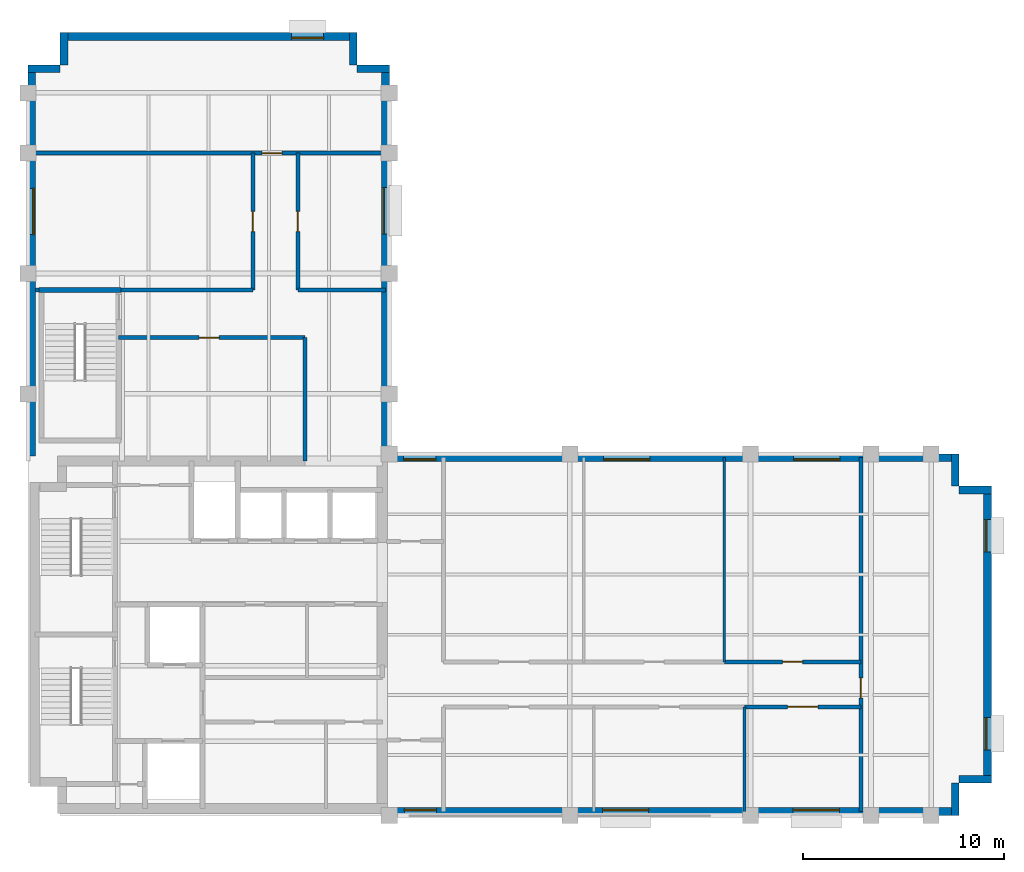
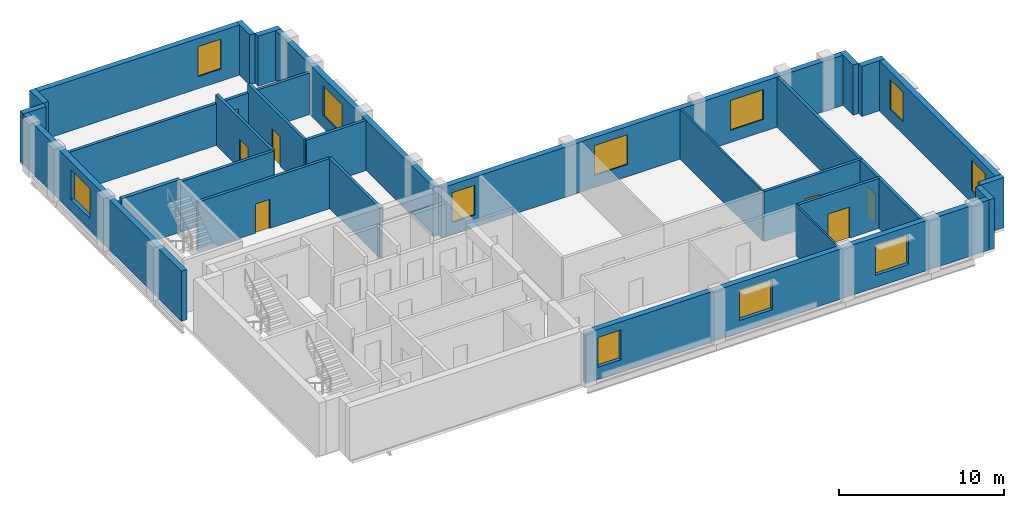
# One storey, part 4 of 6: 28 walls, 11 windows, 7 doors, 18 openings.
"""IFC4 building model written with IfcOpenShell, lengths in metres."""

import ifcopenshell
import ifcopenshell.guid

model = None  # the IFC model being written
_history = None  # IfcOwnerHistory: only IFC2X3 demands one
_inside = {}  # id of a spatial element -> (the spatial element, [elements in it])
_under = {}  # id of a project, library or spatial element -> (it, [spatial elements below it])
_declared = {}  # id of a project -> (the project, [libraries it declares])
_typed = {}  # id of a type object -> (the type object, [elements of that type])
_made_of = {}  # id of a material, layer set ... -> (it, [elements and type objects made of it])


def new_model(schema):
    """Start an empty IFC model of exactly this schema.

    Asked for "IFC4X3", IfcOpenShell would pick the latest addendum, in which some entities
    have other attributes; the version numbers below select the first issue.
    IFC2X3 requires an IfcOwnerHistory on every rooted entity: one is made here for all.
    """
    global model, _history
    if schema == "IFC4X3":
        model = ifcopenshell.file(schema_version=(4, 3, 0, 0))
    else:
        model = ifcopenshell.file(schema=schema)
    _inside.clear()
    _under.clear()
    _declared.clear()
    _typed.clear()
    _made_of.clear()
    _history = None
    if model.schema == "IFC2X3":
        org = make("IfcOrganization", Name="unknown")
        user = make(
            "IfcPersonAndOrganization",
            ThePerson=make("IfcPerson", FamilyName="unknown"),
            TheOrganization=org,
        )
        app = make(
            "IfcApplication",
            ApplicationDeveloper=org,
            Version="unknown",
            ApplicationFullName="unknown",
            ApplicationIdentifier="unknown",
        )
        _history = make(
            "IfcOwnerHistory",
            OwningUser=user,
            OwningApplication=app,
            ChangeAction="ADDED",
            CreationDate=0,
        )
    return model


def make(cls, **values):
    """One entity of the class cls with the attributes given. An attribute that is None is left unset."""
    return model.create_entity(
        cls, **{name: value for name, value in values.items() if value is not None}
    )


def rooted(cls, **values):
    """An entity with a GlobalId (a new one), such as an element, a storey or a relation."""
    return make(cls, GlobalId=ifcopenshell.guid.new(), OwnerHistory=_history, **values)


def si_unit(unit_type, name, prefix=None):
    """IfcSIUnit, for example si_unit("LENGTHUNIT", "METRE", prefix="MILLI")."""
    return make("IfcSIUnit", UnitType=unit_type, Prefix=prefix, Name=name)


def assignment(units):
    """IfcUnitAssignment: the units of a project."""
    return None if units is None else make("IfcUnitAssignment", Units=units)


def point(xyz):
    """IfcCartesianPoint."""
    return None if xyz is None else make("IfcCartesianPoint", Coordinates=xyz)


def direction(xyz):
    """IfcDirection."""
    return None if xyz is None else make("IfcDirection", DirectionRatios=xyz)


def frame(location, z_axis=None, x_axis=None):
    """IfcAxis2Placement3D, a coordinate frame: its origin and axes. An axis left out is left unset."""
    return make(
        "IfcAxis2Placement3D",
        Location=point(location),
        Axis=direction(z_axis),
        RefDirection=direction(x_axis),
    )


def frame_2d(location, x_axis=None):
    """IfcAxis2Placement2D, a coordinate frame in the plane: its origin and x axis."""
    return make(
        "IfcAxis2Placement2D", Location=point(location), RefDirection=direction(x_axis)
    )


def origin():
    """The frame at (0, 0, 0) with its axes left unset."""
    return frame((0.0, 0.0, 0.0))


def place(relative_to, where):
    """IfcLocalPlacement: puts the frame where relative to a parent placement (None: the world)."""
    return make(
        "IfcLocalPlacement", PlacementRelTo=relative_to, RelativePlacement=where
    )


def context(
    kind, dimensions, precision=None, world=None, true_north=None, identifier=None
):
    """IfcGeometricRepresentationContext, for example the 3D "Model" context."""
    return make(
        "IfcGeometricRepresentationContext",
        ContextIdentifier=identifier,
        ContextType=kind,
        CoordinateSpaceDimension=dimensions,
        Precision=precision,
        WorldCoordinateSystem=world,
        TrueNorth=true_north,
    )


def subcontext(parent, identifier, kind, view, scale=None):
    """IfcGeometricRepresentationSubContext, for example "Body" below "Model"."""
    return make(
        "IfcGeometricRepresentationSubContext",
        ContextIdentifier=identifier,
        ContextType=kind,
        ParentContext=parent,
        TargetScale=scale,
        TargetView=view,
    )


def project(units=None, contexts=None):
    """IfcProject with its units and contexts."""
    return rooted(
        "IfcProject",
        Name="project",
        RepresentationContexts=contexts,
        UnitsInContext=assignment(units),
    )


def spatial(cls, under=None, at=None, **own):
    """A site, building, storey or space (cls), placed at a placement, below another one or the project."""
    s = rooted(cls, ObjectPlacement=at, **own)
    if under is not None:
        _under.setdefault(under.id(), (under, []))[1].append(s)
    return s


def profile(cls, at=None, kind="AREA", **sizes):
    """A parametric profile (cls). Its sizes go by their IFC names, for example OverallWidth=200.0."""
    return make(cls, ProfileType=kind, Position=at, **sizes)


def rectangle(**sizes):
    """IfcRectangleProfileDef."""
    return profile("IfcRectangleProfileDef", **sizes)


def extrude(swept, where, along, depth):
    """IfcExtrudedAreaSolid: the profile swept, set in the frame where, extruded along a direction by depth."""
    return make(
        "IfcExtrudedAreaSolid",
        SweptArea=swept,
        Position=where,
        ExtrudedDirection=direction(along),
        Depth=depth,
    )


def shape(context_of_items, identifier, shape_type, items):
    """IfcShapeRepresentation: the items that make up one representation, for example the "Body"."""
    return make(
        "IfcShapeRepresentation",
        ContextOfItems=context_of_items,
        RepresentationIdentifier=identifier,
        RepresentationType=shape_type,
        Items=items,
    )


def material(Name=None, Category=None):
    """IfcMaterial."""
    return make("IfcMaterial", Name=Name, Category=Category)


def layer(
    of_material, thickness, ventilated=None, Name=None, Category=None, Priority=None
):
    """IfcMaterialLayer: one layer of a wall or slab, of a material (None: an air gap)."""
    return make(
        "IfcMaterialLayer",
        Material=of_material,
        LayerThickness=thickness,
        IsVentilated=ventilated,
        Name=Name,
        Category=Category,
        Priority=Priority,
    )


def layer_set(layers, Name=None):
    """IfcMaterialLayerSet."""
    return make("IfcMaterialLayerSet", MaterialLayers=layers, LayerSetName=Name)


def made_of(thing, what):
    """Note that an element or type object is made of a material, layer set ...; save() writes the relation."""
    if what is not None:
        _made_of.setdefault(what.id(), (what, []))[1].append(thing)
    return thing


def type_object(cls, material=None, **own):
    """A type object (cls), such as IfcWallType, which elements share."""
    return made_of(rooted(cls, **own), material)


def element(
    cls,
    number,
    at=None,
    inside=None,
    cuts=None,
    type_object=None,
    material=None,
    context=None,
    identifier="Body",
    shape_type=None,
    held_by="IfcProductDefinitionShape",
    body=None,
    shapes=None,
    **own,
):
    """One element of the class cls, such as IfcWall. Its Tag is "e" and its number.

    at: its placement. inside: the storey or other place that contains it. cuts: it is an
    opening in that element (IfcRelVoidsElement). A single representation is given by context,
    identifier, shape_type and body (its items); several are given by shapes. held_by: the class
    of the entity that holds the representations. save() writes the other relations.
    """
    e = rooted(cls, Tag="e%d" % number, ObjectPlacement=at, **own)
    if body is not None:
        shapes = [shape(context, identifier, shape_type, body)]
    if shapes is not None:
        e.Representation = make(held_by, Representations=shapes)
    if inside is not None:
        _inside.setdefault(inside.id(), (inside, []))[1].append(e)
    if cuts is not None:
        rooted(
            "IfcRelVoidsElement", RelatingBuildingElement=cuts, RelatedOpeningElement=e
        )
    if type_object is not None:
        _typed.setdefault(type_object.id(), (type_object, []))[1].append(e)
    return made_of(e, material)


def fill(opening, filler):
    """IfcRelFillsElement: the door or window that sits in an opening."""
    return rooted(
        "IfcRelFillsElement",
        RelatingOpeningElement=opening,
        RelatedBuildingElement=filler,
    )


def aggregate(whole, parts):
    """IfcRelAggregates: a whole, such as a stair, and the parts it consists of."""
    return rooted("IfcRelAggregates", RelatingObject=whole, RelatedObjects=parts)


def save(model, path):
    """Write the relations noted so far, then the file.

    IfcRelAggregates (storeys below a building ...), IfcRelContainedInSpatialStructure (elements
    in a storey), IfcRelDefinesByType, IfcRelAssociatesMaterial and IfcRelDeclares: one each for
    every whole, place, type object, material and project.
    """
    for whole, parts in _under.values():
        aggregate(whole, parts)
    for where, things in _inside.values():
        rooted(
            "IfcRelContainedInSpatialStructure",
            RelatedElements=things,
            RelatingStructure=where,
        )
    for kind, things in _typed.values():
        rooted("IfcRelDefinesByType", RelatedObjects=things, RelatingType=kind)
    for what, things in _made_of.values():
        rooted("IfcRelAssociatesMaterial", RelatedObjects=things, RelatingMaterial=what)
    for by, libraries in _declared.values():
        rooted("IfcRelDeclares", RelatingContext=by, RelatedDefinitions=libraries)
    model.write(path)


model = new_model("IFC4")

# Units and contexts
model_context = context("Model", 3, precision=1e-05, world=origin(), true_north=direction((0.0, 1.0)))
body_context = subcontext(model_context, "Body", "Model", "MODEL_VIEW")
ifc_project = project(units=[si_unit("LENGTHUNIT", "METRE"), si_unit("AREAUNIT", "SQUARE_METRE"), si_unit("VOLUMEUNIT", "CUBIC_METRE"), si_unit("PLANEANGLEUNIT", "RADIAN"), si_unit("MASSUNIT", "GRAM", prefix="KILO")], contexts=[model_context])

# Site, building, storey
site_placement = place(None, origin())
site = spatial("IfcSite", under=ifc_project, at=site_placement, CompositionType="ELEMENT")
building_placement = place(site_placement, origin())
building = spatial("IfcBuilding", under=site, at=building_placement, Name="Mawjdan Bourse Tower", CompositionType="ELEMENT")
storey_placement = place(building_placement, frame((0.0, 0.0, 231.300048828125)))
storey = spatial("IfcBuildingStorey", under=building, at=storey_placement, Name="L56", CompositionType="ELEMENT", Elevation=231.300048828125)

# Wall, openings, windows
ifc_material_1 = material(Name="Brick Masonry Terracotta Red", Category="masonry")
ifc_layer_1 = layer(ifc_material_1, 0.3798828125)
ifc_layer_set_1 = layer_set([ifc_layer_1], Name="Brick Masonry Terracotta Red")
wall_type_1 = type_object("IfcWallType", Name="WL-BRK-RED-380", PredefinedType="STANDARD", material=ifc_layer_set_1)
wall_1_placement = place(storey_placement, frame((23.89990234375, 3.18994140625, 0.0), z_axis=(0.0, 0.0, 1.0), x_axis=(1.0, 0.0, 0.0)))
wall_1 = element("IfcWall", 1, at=wall_1_placement, inside=storey, type_object=wall_type_1, Name="L56 Exterior Brick Wall 1", PredefinedType="STANDARD", context=body_context, shape_type="SweptSolid", body=[
    extrude(rectangle(XDim=28.5, YDim=0.3798828125, at=frame_2d((14.25, 0.0))), origin(), (0.0, 0.0, 1.0), 3.699951171875),
])
opening_1_placement = place(wall_1_placement, frame((10.72509765625, 0.0, 0.89990234375)))
opening_1 = element("IfcOpeningElement", 2, at=opening_1_placement, cuts=wall_1, Name="Opening W-L56-01", PredefinedType="OPENING", context=body_context, shape_type="SweptSolid", body=[
    extrude(rectangle(XDim=2.300048828125, YDim=2.199951171875, at=frame_2d((1.14990234375, 1.10009765625))), frame((0.0, 0.199951171875, 0.0), z_axis=(0.0, -1.0, 0.0), x_axis=(1.0, 0.0, 0.0)), (0.0, 0.0, 1.0), 0.39990234375),
])
opening_2_placement = place(wall_1_placement, frame((20.22509765625, 0.0, 0.89990234375)))
opening_2 = element("IfcOpeningElement", 3, at=opening_2_placement, cuts=wall_1, Name="Opening W-L56-02", PredefinedType="OPENING", context=body_context, shape_type="SweptSolid", body=[
    extrude(rectangle(XDim=2.300048828125, YDim=2.199951171875, at=frame_2d((1.14990234375, 1.10009765625))), frame((0.0, 0.199951171875, 0.0), z_axis=(0.0, -1.0, 0.0), x_axis=(1.0, 0.0, 0.0)), (0.0, 0.0, 1.0), 0.39990234375),
])
opening_3_placement = place(wall_1_placement, frame((0.85009765625, 0.0, 0.89990234375)))
opening_3 = element("IfcOpeningElement", 4, at=opening_3_placement, cuts=wall_1, Name="Opening W-L56-10", PredefinedType="OPENING", context=body_context, shape_type="SweptSolid", body=[
    extrude(rectangle(XDim=1.60009765625, YDim=2.199951171875, at=frame_2d((0.800048828125, 1.10009765625))), frame((0.0, 0.199951171875, 0.0), z_axis=(0.0, -1.0, 0.0), x_axis=(1.0, 0.0, 0.0)), (0.0, 0.0, 1.0), 0.39990234375),
])
ifc_material_2 = material(Name="Solar-Control Clear Double Glazing", Category="glass")
window_type_1 = type_object("IfcWindowType", Name="WN-Z3-1600", PartitioningType="SINGLE_PANEL", PredefinedType="WINDOW", material=ifc_material_2)
window_1_placement = place(opening_3_placement, origin())
window_1 = element("IfcWindow", 5, at=window_1_placement, inside=storey, type_object=window_type_1, Name="L56 Deep-Set Masonry Window W-L56-10", OverallHeight=2.199951171875, OverallWidth=1.60009765625, PartitioningType="SINGLE_PANEL", PredefinedType="WINDOW", context=body_context, shape_type="SweptSolid", body=[
    extrude(rectangle(XDim=1.60009765625, YDim=2.199951171875, at=frame_2d((0.800048828125, 1.10009765625))), frame((0.0, 0.110107421875, 0.0), z_axis=(0.0, -1.0, 0.0), x_axis=(1.0, 0.0, 0.0)), (0.0, 0.0, 1.0), 0.06005859375),
])
fill(opening_3, window_1)
window_type_2 = type_object("IfcWindowType", Name="WN-Z3-2300", PartitioningType="SINGLE_PANEL", PredefinedType="WINDOW", material=ifc_material_2)
window_2_placement = place(opening_1_placement, origin())
window_2 = element("IfcWindow", 6, at=window_2_placement, inside=storey, type_object=window_type_2, Name="L56 Deep-Set Masonry Window W-L56-01", OverallHeight=2.199951171875, OverallWidth=2.300048828125, PartitioningType="SINGLE_PANEL", PredefinedType="WINDOW", context=body_context, shape_type="SweptSolid", body=[
    extrude(rectangle(XDim=2.300048828125, YDim=2.199951171875, at=frame_2d((1.14990234375, 1.10009765625))), frame((0.0, 0.110107421875, 0.0), z_axis=(0.0, -1.0, 0.0), x_axis=(1.0, 0.0, 0.0)), (0.0, 0.0, 1.0), 0.06005859375),
])
fill(opening_1, window_2)
window_3_placement = place(opening_2_placement, origin())
window_3 = element("IfcWindow", 7, at=window_3_placement, inside=storey, type_object=window_type_2, Name="L56 Deep-Set Masonry Window W-L56-02", OverallHeight=2.199951171875, OverallWidth=2.300048828125, PartitioningType="SINGLE_PANEL", PredefinedType="WINDOW", context=body_context, shape_type="SweptSolid", body=[
    extrude(rectangle(XDim=2.300048828125, YDim=2.199951171875, at=frame_2d((1.14990234375, 1.10009765625))), frame((0.0, 0.110107421875, 0.0), z_axis=(0.0, -1.0, 0.0), x_axis=(1.0, 0.0, 0.0)), (0.0, 0.0, 1.0), 0.06005859375),
])
fill(opening_2, window_3)

# Walls
for number, where, z_axis, x_axis, name in (
    (8, (52.2099609375, 3.0, 0.0), (0.0, 0.0, 1.0), (0.0, 1.0, 0.0), "L56 Exterior Brick Wall 2"),
    (9, (52.39990234375, 4.7900390625, 0.0), (0.0, 0.0, 1.0), (1.0, 0.0, 0.0), "L56 Exterior Brick Wall 3"),
):
    element("IfcWall", number, at=place(storey_placement, frame(where, z_axis=z_axis, x_axis=x_axis)), inside=storey, type_object=wall_type_1, Name=name, PredefinedType="STANDARD", context=body_context, shape_type="SweptSolid", body=[
        extrude(rectangle(XDim=1.60009765625, YDim=0.3798828125, at=frame_2d((0.800048828125, 0.0))), origin(), (0.0, 0.0, 1.0), 3.699951171875),
    ])

# Wall, openings, windows
wall_2_placement = place(storey_placement, frame((53.81005859375, 4.60009765625, 0.0), z_axis=(0.0, 0.0, 1.0), x_axis=(0.0, 1.0, 0.0)))
wall_2 = element("IfcWall", 10, at=wall_2_placement, inside=storey, type_object=wall_type_1, Name="L56 Exterior Brick Wall 4", PredefinedType="STANDARD", context=body_context, shape_type="SweptSolid", body=[
    extrude(rectangle(XDim=14.7998046875, YDim=0.3798828125, at=frame_2d((7.39990234375, 0.0))), origin(), (0.0, 0.0, 1.0), 3.699951171875),
])
opening_4_placement = place(wall_2_placement, frame((1.666748046875, 0.0, 0.89990234375)))
opening_4 = element("IfcOpeningElement", 11, at=opening_4_placement, cuts=wall_2, Name="Opening W-L56-03", PredefinedType="OPENING", context=body_context, shape_type="SweptSolid", body=[
    extrude(rectangle(XDim=1.60009765625, YDim=2.199951171875, at=frame_2d((0.800048828125, 1.10009765625))), frame((0.0, 0.199951171875, 0.0), z_axis=(0.0, -1.0, 0.0), x_axis=(1.0, 0.0, 0.0)), (0.0, 0.0, 1.0), 0.39990234375),
])
opening_5_placement = place(wall_2_placement, frame((11.533203125, 0.0, 0.89990234375)))
opening_5 = element("IfcOpeningElement", 12, at=opening_5_placement, cuts=wall_2, Name="Opening W-L56-04", PredefinedType="OPENING", context=body_context, shape_type="SweptSolid", body=[
    extrude(rectangle(XDim=1.60009765625, YDim=2.199951171875, at=frame_2d((0.800048828125, 1.10009765625))), frame((0.0, 0.199951171875, 0.0), z_axis=(0.0, -1.0, 0.0), x_axis=(1.0, 0.0, 0.0)), (0.0, 0.0, 1.0), 0.39990234375),
])
window_4_placement = place(opening_4_placement, origin())
window_4 = element("IfcWindow", 13, at=window_4_placement, inside=storey, type_object=window_type_1, Name="L56 Deep-Set Masonry Window W-L56-03", OverallHeight=2.199951171875, OverallWidth=1.60009765625, PartitioningType="SINGLE_PANEL", PredefinedType="WINDOW", context=body_context, shape_type="SweptSolid", body=[
    extrude(rectangle(XDim=1.60009765625, YDim=2.199951171875, at=frame_2d((0.800048828125, 1.10009765625))), frame((0.0, 0.110107421875, 0.0), z_axis=(0.0, -1.0, 0.0), x_axis=(1.0, 0.0, 0.0)), (0.0, 0.0, 1.0), 0.06005859375),
])
fill(opening_4, window_4)
window_5_placement = place(opening_5_placement, origin())
window_5 = element("IfcWindow", 14, at=window_5_placement, inside=storey, type_object=window_type_1, Name="L56 Deep-Set Masonry Window W-L56-04", OverallHeight=2.199951171875, OverallWidth=1.60009765625, PartitioningType="SINGLE_PANEL", PredefinedType="WINDOW", context=body_context, shape_type="SweptSolid", body=[
    extrude(rectangle(XDim=1.60009765625, YDim=2.199951171875, at=frame_2d((0.800048828125, 1.10009765625))), frame((0.0, 0.110107421875, 0.0), z_axis=(0.0, -1.0, 0.0), x_axis=(1.0, 0.0, 0.0)), (0.0, 0.0, 1.0), 0.06005859375),
])
fill(opening_5, window_5)

# Walls
for number, where, z_axis, x_axis, name in (
    (15, (54.0, 19.2099609375, 0.0), (0.0, 0.0, 1.0), (-1.0, 0.0, 0.0), "L56 Exterior Brick Wall 5"),
    (16, (52.2099609375, 19.39990234375, 0.0), (0.0, 0.0, 1.0), (0.0, 1.0, 0.0), "L56 Exterior Brick Wall 6"),
):
    element("IfcWall", number, at=place(storey_placement, frame(where, z_axis=z_axis, x_axis=x_axis)), inside=storey, type_object=wall_type_1, Name=name, PredefinedType="STANDARD", context=body_context, shape_type="SweptSolid", body=[
        extrude(rectangle(XDim=1.60009765625, YDim=0.3798828125, at=frame_2d((0.800048828125, 0.0))), origin(), (0.0, 0.0, 1.0), 3.699951171875),
    ])

# Wall, openings, windows
wall_3_placement = place(storey_placement, frame((52.39990234375, 20.81005859375, 0.0), z_axis=(0.0, 0.0, 1.0), x_axis=(-1.0, 0.0, 0.0)))
wall_3 = element("IfcWall", 17, at=wall_3_placement, inside=storey, type_object=wall_type_1, Name="L56 Exterior Brick Wall 7", PredefinedType="STANDARD", context=body_context, shape_type="SweptSolid", body=[
    extrude(rectangle(XDim=28.39990234375, YDim=0.3798828125, at=frame_2d((14.199951171875, 0.0))), origin(), (0.0, 0.0, 1.0), 3.699951171875),
])
opening_6_placement = place(wall_3_placement, frame((5.949951171875, 0.0, 0.89990234375)))
opening_6 = element("IfcOpeningElement", 18, at=opening_6_placement, cuts=wall_3, Name="Opening W-L56-05", PredefinedType="OPENING", context=body_context, shape_type="SweptSolid", body=[
    extrude(rectangle(XDim=2.300048828125, YDim=2.199951171875, at=frame_2d((1.14990234375, 1.10009765625))), frame((0.0, 0.199951171875, 0.0), z_axis=(0.0, -1.0, 0.0), x_axis=(1.0, 0.0, 0.0)), (0.0, 0.0, 1.0), 0.39990234375),
])
opening_7_placement = place(wall_3_placement, frame((15.416748046875, 0.0, 0.89990234375)))
opening_7 = element("IfcOpeningElement", 19, at=opening_7_placement, cuts=wall_3, Name="Opening W-L56-06", PredefinedType="OPENING", context=body_context, shape_type="SweptSolid", body=[
    extrude(rectangle(XDim=2.300048828125, YDim=2.199951171875, at=frame_2d((1.14990234375, 1.10009765625))), frame((0.0, 0.199951171875, 0.0), z_axis=(0.0, -1.0, 0.0), x_axis=(1.0, 0.0, 0.0)), (0.0, 0.0, 1.0), 0.39990234375),
])
opening_8_placement = place(wall_3_placement, frame((26.083740234375, 0.0, 0.89990234375)))
opening_8 = element("IfcOpeningElement", 20, at=opening_8_placement, cuts=wall_3, Name="Opening W-L56-11", PredefinedType="OPENING", context=body_context, shape_type="SweptSolid", body=[
    extrude(rectangle(XDim=1.60009765625, YDim=2.199951171875, at=frame_2d((0.800048828125, 1.10009765625))), frame((0.0, 0.199951171875, 0.0), z_axis=(0.0, -1.0, 0.0), x_axis=(1.0, 0.0, 0.0)), (0.0, 0.0, 1.0), 0.39990234375),
])
window_6_placement = place(opening_8_placement, origin())
window_6 = element("IfcWindow", 21, at=window_6_placement, inside=storey, type_object=window_type_1, Name="L56 Deep-Set Masonry Window W-L56-11", OverallHeight=2.199951171875, OverallWidth=1.60009765625, PartitioningType="SINGLE_PANEL", PredefinedType="WINDOW", context=body_context, shape_type="SweptSolid", body=[
    extrude(rectangle(XDim=1.60009765625, YDim=2.199951171875, at=frame_2d((0.800048828125, 1.10009765625))), frame((0.0, 0.110107421875, 0.0), z_axis=(0.0, -1.0, 0.0), x_axis=(1.0, 0.0, 0.0)), (0.0, 0.0, 1.0), 0.06005859375),
])
fill(opening_8, window_6)
window_7_placement = place(opening_6_placement, origin())
window_7 = element("IfcWindow", 22, at=window_7_placement, inside=storey, type_object=window_type_2, Name="L56 Deep-Set Masonry Window W-L56-05", OverallHeight=2.199951171875, OverallWidth=2.300048828125, PartitioningType="SINGLE_PANEL", PredefinedType="WINDOW", context=body_context, shape_type="SweptSolid", body=[
    extrude(rectangle(XDim=2.300048828125, YDim=2.199951171875, at=frame_2d((1.14990234375, 1.10009765625))), frame((0.0, 0.110107421875, 0.0), z_axis=(0.0, -1.0, 0.0), x_axis=(1.0, 0.0, 0.0)), (0.0, 0.0, 1.0), 0.06005859375),
])
fill(opening_6, window_7)
window_8_placement = place(opening_7_placement, origin())
window_8 = element("IfcWindow", 23, at=window_8_placement, inside=storey, type_object=window_type_2, Name="L56 Deep-Set Masonry Window W-L56-06", OverallHeight=2.199951171875, OverallWidth=2.300048828125, PartitioningType="SINGLE_PANEL", PredefinedType="WINDOW", context=body_context, shape_type="SweptSolid", body=[
    extrude(rectangle(XDim=2.300048828125, YDim=2.199951171875, at=frame_2d((1.14990234375, 1.10009765625))), frame((0.0, 0.110107421875, 0.0), z_axis=(0.0, -1.0, 0.0), x_axis=(1.0, 0.0, 0.0)), (0.0, 0.0, 1.0), 0.06005859375),
])
fill(opening_7, window_8)

# Wall, opening, window
wall_4_placement = place(storey_placement, frame((23.81005859375, 21.0, 0.0), z_axis=(0.0, 0.0, 1.0), x_axis=(0.0, 1.0, 0.0)))
wall_4 = element("IfcWall", 24, at=wall_4_placement, inside=storey, type_object=wall_type_1, Name="L56 Exterior Brick Wall 8", PredefinedType="STANDARD", context=body_context, shape_type="SweptSolid", body=[
    extrude(rectangle(XDim=19.39990234375, YDim=0.3798828125, at=frame_2d((9.699951171875, 0.0))), origin(), (0.0, 0.0, 1.0), 3.699951171875),
])
opening_9_placement = place(wall_4_placement, frame((10.97509765625, 0.0, 0.89990234375)))
opening_9 = element("IfcOpeningElement", 25, at=opening_9_placement, cuts=wall_4, Name="Opening W-L56-07", PredefinedType="OPENING", context=body_context, shape_type="SweptSolid", body=[
    extrude(rectangle(XDim=2.300048828125, YDim=2.199951171875, at=frame_2d((1.14990234375, 1.10009765625))), frame((0.0, 0.199951171875, 0.0), z_axis=(0.0, -1.0, 0.0), x_axis=(1.0, 0.0, 0.0)), (0.0, 0.0, 1.0), 0.39990234375),
])
window_9_placement = place(opening_9_placement, origin())
window_9 = element("IfcWindow", 26, at=window_9_placement, inside=storey, type_object=window_type_2, Name="L56 Deep-Set Masonry Window W-L56-07", OverallHeight=2.199951171875, OverallWidth=2.300048828125, PartitioningType="SINGLE_PANEL", PredefinedType="WINDOW", context=body_context, shape_type="SweptSolid", body=[
    extrude(rectangle(XDim=2.300048828125, YDim=2.199951171875, at=frame_2d((1.14990234375, 1.10009765625))), frame((0.0, 0.110107421875, 0.0), z_axis=(0.0, -1.0, 0.0), x_axis=(1.0, 0.0, 0.0)), (0.0, 0.0, 1.0), 0.06005859375),
])
fill(opening_9, window_9)

# Walls
for number, where, z_axis, x_axis, name in (
    (27, (24.0, 40.2099609375, 0.0), (0.0, 0.0, 1.0), (-1.0, 0.0, 0.0), "L56 Exterior Brick Wall 9"),
    (28, (22.2099609375, 40.39990234375, 0.0), (0.0, 0.0, 1.0), (0.0, 1.0, 0.0), "L56 Exterior Brick Wall 10"),
):
    element("IfcWall", number, at=place(storey_placement, frame(where, z_axis=z_axis, x_axis=x_axis)), inside=storey, type_object=wall_type_1, Name=name, PredefinedType="STANDARD", context=body_context, shape_type="SweptSolid", body=[
        extrude(rectangle(XDim=1.60009765625, YDim=0.3798828125, at=frame_2d((0.800048828125, 0.0))), origin(), (0.0, 0.0, 1.0), 3.699951171875),
    ])

# Wall, opening, window
wall_5_placement = place(storey_placement, frame((22.39990234375, 41.81005859375, 0.0), z_axis=(0.0, 0.0, 1.0), x_axis=(-1.0, 0.0, 0.0)))
wall_5 = element("IfcWall", 29, at=wall_5_placement, inside=storey, type_object=wall_type_1, Name="L56 Exterior Brick Wall 11", PredefinedType="STANDARD", context=body_context, shape_type="SweptSolid", body=[
    extrude(rectangle(XDim=14.7998046875, YDim=0.3798828125, at=frame_2d((7.39990234375, 0.0))), origin(), (0.0, 0.0, 1.0), 3.699951171875),
])
opening_10_placement = place(wall_5_placement, frame((1.666748046875, 0.0, 0.89990234375)))
opening_10 = element("IfcOpeningElement", 30, at=opening_10_placement, cuts=wall_5, Name="Opening W-L56-08", PredefinedType="OPENING", context=body_context, shape_type="SweptSolid", body=[
    extrude(rectangle(XDim=1.60009765625, YDim=2.199951171875, at=frame_2d((0.800048828125, 1.10009765625))), frame((0.0, 0.199951171875, 0.0), z_axis=(0.0, -1.0, 0.0), x_axis=(1.0, 0.0, 0.0)), (0.0, 0.0, 1.0), 0.39990234375),
])
window_10_placement = place(opening_10_placement, origin())
window_10 = element("IfcWindow", 31, at=window_10_placement, inside=storey, type_object=window_type_1, Name="L56 Deep-Set Masonry Window W-L56-08", OverallHeight=2.199951171875, OverallWidth=1.60009765625, PartitioningType="SINGLE_PANEL", PredefinedType="WINDOW", context=body_context, shape_type="SweptSolid", body=[
    extrude(rectangle(XDim=1.60009765625, YDim=2.199951171875, at=frame_2d((0.800048828125, 1.10009765625))), frame((0.0, 0.110107421875, 0.0), z_axis=(0.0, -1.0, 0.0), x_axis=(1.0, 0.0, 0.0)), (0.0, 0.0, 1.0), 0.06005859375),
])
fill(opening_10, window_10)

# Walls
for number, where, z_axis, x_axis, name in (
    (32, (7.7900390625, 42.0, 0.0), (0.0, 0.0, 1.0), (0.0, -1.0, 0.0), "L56 Exterior Brick Wall 12"),
    (33, (7.60009765625, 40.2099609375, 0.0), (0.0, 0.0, 1.0), (-1.0, 0.0, 0.0), "L56 Exterior Brick Wall 13"),
):
    element("IfcWall", number, at=place(storey_placement, frame(where, z_axis=z_axis, x_axis=x_axis)), inside=storey, type_object=wall_type_1, Name=name, PredefinedType="STANDARD", context=body_context, shape_type="SweptSolid", body=[
        extrude(rectangle(XDim=1.60009765625, YDim=0.3798828125, at=frame_2d((0.800048828125, 0.0))), origin(), (0.0, 0.0, 1.0), 3.699951171875),
    ])

# Wall, opening, window
wall_6_placement = place(storey_placement, frame((6.18994140625, 40.39990234375, 0.0), z_axis=(0.0, 0.0, 1.0), x_axis=(0.0, -1.0, 0.0)))
wall_6 = element("IfcWall", 34, at=wall_6_placement, inside=storey, type_object=wall_type_1, Name="L56 Exterior Brick Wall 14", PredefinedType="STANDARD", context=body_context, shape_type="SweptSolid", body=[
    extrude(rectangle(XDim=19.5, YDim=0.3798828125, at=frame_2d((9.75, 0.0))), origin(), (0.0, 0.0, 1.0), 3.699951171875),
])
opening_11_placement = place(wall_6_placement, frame((6.16259765625, 0.0, 0.89990234375)))
opening_11 = element("IfcOpeningElement", 35, at=opening_11_placement, cuts=wall_6, Name="Opening W-L56-09", PredefinedType="OPENING", context=body_context, shape_type="SweptSolid", body=[
    extrude(rectangle(XDim=2.300048828125, YDim=2.199951171875, at=frame_2d((1.14990234375, 1.10009765625))), frame((0.0, 0.199951171875, 0.0), z_axis=(0.0, -1.0, 0.0), x_axis=(1.0, 0.0, 0.0)), (0.0, 0.0, 1.0), 0.39990234375),
])
window_11_placement = place(opening_11_placement, origin())
window_11 = element("IfcWindow", 36, at=window_11_placement, inside=storey, type_object=window_type_2, Name="L56 Deep-Set Masonry Window W-L56-09", OverallHeight=2.199951171875, OverallWidth=2.300048828125, PartitioningType="SINGLE_PANEL", PredefinedType="WINDOW", context=body_context, shape_type="SweptSolid", body=[
    extrude(rectangle(XDim=2.300048828125, YDim=2.199951171875, at=frame_2d((1.14990234375, 1.10009765625))), frame((0.0, 0.110107421875, 0.0), z_axis=(0.0, -1.0, 0.0), x_axis=(1.0, 0.0, 0.0)), (0.0, 0.0, 1.0), 0.06005859375),
])
fill(opening_11, window_11)

# Wall, opening, door
ifc_material_3 = material(Name="Gypsum Fireboard Assembly")
ifc_layer_2 = layer(ifc_material_3, 0.199951171875)
ifc_layer_set_2 = layer_set([ifc_layer_2], Name="Gypsum Fireboard Assembly")
wall_type_2 = type_object("IfcWallType", Name="WL-CMP-200", PredefinedType="PARTITIONING", material=ifc_layer_set_2)
wall_7_placement = place(storey_placement, frame((41.699951171875, 8.39990234375, 0.0), z_axis=(0.0, 0.0, 1.0), x_axis=(1.0, 0.0, 0.0)))
wall_7 = element("IfcWall", 37, at=wall_7_placement, inside=storey, type_object=wall_type_2, Name="L56 Conference Room Corridor Wall", PredefinedType="PARTITIONING", context=body_context, shape_type="SweptSolid", body=[
    extrude(rectangle(XDim=5.800048828125, YDim=0.199951171875, at=frame_2d((2.89990234375, 0.0))), origin(), (0.0, 0.0, 1.0), 3.68994140625),
])
opening_12_placement = place(wall_7_placement, frame((2.14990234375, 0.0, 0.0)))
opening_12 = element("IfcOpeningElement", 38, at=opening_12_placement, cuts=wall_7, Name="Opening D-L56-23", PredefinedType="OPENING", context=body_context, shape_type="SweptSolid", body=[
    extrude(rectangle(XDim=1.5, YDim=2.300048828125, at=frame_2d((0.75, 1.14990234375))), frame((0.0, 0.10986328125, 0.0), z_axis=(0.0, -1.0, 0.0), x_axis=(1.0, 0.0, 0.0)), (0.0, 0.0, 1.0), 0.219970703125),
])
ifc_material_4 = material(Name="Acoustic Glazed Timber", Category="wood")
door_type_1 = type_object("IfcDoorType", Name="DR-CNF-1500", OperationType="DOUBLE_DOOR_SINGLE_SWING", PredefinedType="DOOR", material=ifc_material_4)
door_1_placement = place(opening_12_placement, origin())
door_1 = element("IfcDoor", 39, at=door_1_placement, inside=storey, type_object=door_type_1, Name="L56 Conference Room Door D-L56-23", OperationType="DOUBLE_DOOR_SINGLE_SWING", OverallHeight=2.300048828125, OverallWidth=1.5, PredefinedType="DOOR", context=body_context, shape_type="SweptSolid", body=[
    extrude(rectangle(XDim=1.5, YDim=2.300048828125, at=frame_2d((0.75, 1.14990234375))), frame((0.0, 0.02490234375, 0.0), z_axis=(0.0, -1.0, 0.0), x_axis=(1.0, 0.0, 0.0)), (0.0, 0.0, 1.0), 0.050048828125),
])
fill(opening_12, door_1)

wall_8_placement = place(storey_placement, frame((40.699951171875, 10.64990234375, 0.0), z_axis=(0.0, 0.0, 1.0), x_axis=(1.0, 0.0, 0.0)))
wall_8 = element("IfcWall", 40, at=wall_8_placement, inside=storey, type_object=wall_type_2, Name="L56 Client Meeting Room Corridor Wall", PredefinedType="PARTITIONING", context=body_context, shape_type="SweptSolid", body=[
    extrude(rectangle(XDim=6.800048828125, YDim=0.199951171875, at=frame_2d((3.39990234375, 0.0))), origin(), (0.0, 0.0, 1.0), 3.68994140625),
])
opening_13_placement = place(wall_8_placement, frame((2.89990234375, 0.0, 0.0)))
opening_13 = element("IfcOpeningElement", 41, at=opening_13_placement, cuts=wall_8, Name="Opening D-L56-26", PredefinedType="OPENING", context=body_context, shape_type="SweptSolid", body=[
    extrude(rectangle(XDim=1.0, YDim=2.14990234375, at=frame_2d((0.5, 1.074951171875))), frame((0.0, 0.10986328125, 0.0), z_axis=(0.0, -1.0, 0.0), x_axis=(1.0, 0.0, 0.0)), (0.0, 0.0, 1.0), 0.219970703125),
])
ifc_material_5 = material(Name="Hardwood Acoustic Leaf", Category="wood")
door_type_2 = type_object("IfcDoorType", Name="DR-OFC-1000", OperationType="NOTDEFINED", PredefinedType="DOOR", material=ifc_material_5)
door_2_placement = place(opening_13_placement, origin())
door_2 = element("IfcDoor", 42, at=door_2_placement, inside=storey, type_object=door_type_2, Name="L56 Client Meeting Room Door D-L56-26", OperationType="SINGLE_SWING_RIGHT", OverallHeight=2.14990234375, OverallWidth=1.0, PredefinedType="DOOR", context=body_context, shape_type="SweptSolid", body=[
    extrude(rectangle(XDim=1.0, YDim=2.14990234375, at=frame_2d((0.5, 1.074951171875))), frame((0.0, 0.02490234375, 0.0), z_axis=(0.0, -1.0, 0.0), x_axis=(1.0, 0.0, 0.0)), (0.0, 0.0, 1.0), 0.050048828125),
])
fill(opening_13, door_2)

wall_9_placement = place(storey_placement, frame((47.5, 3.179931640625, 0.0), z_axis=(0.0, 0.0, 1.0), x_axis=(0.0, 1.0, 0.0)))
wall_9 = element("IfcWall", 43, at=wall_9_placement, inside=storey, type_object=wall_type_2, Name="L56 East Tip Full Cross Wall", PredefinedType="PARTITIONING", context=body_context, shape_type="SweptSolid", body=[
    extrude(rectangle(XDim=17.64013671875, YDim=0.199951171875, at=frame_2d((8.820068359375, 0.0))), origin(), (0.0, 0.0, 1.0), 3.68994140625),
])
opening_14_placement = place(wall_9_placement, frame((5.675048828125, 0.0, 0.0)))
opening_14 = element("IfcOpeningElement", 44, at=opening_14_placement, cuts=wall_9, Name="Opening D-L56-27", PredefinedType="OPENING", context=body_context, shape_type="SweptSolid", body=[
    extrude(rectangle(XDim=1.0, YDim=2.14990234375, at=frame_2d((0.5, 1.074951171875))), frame((0.0, 0.10986328125, 0.0), z_axis=(0.0, -1.0, 0.0), x_axis=(1.0, 0.0, 0.0)), (0.0, 0.0, 1.0), 0.219970703125),
])
door_3_placement = place(opening_14_placement, origin())
door_3 = element("IfcDoor", 45, at=door_3_placement, inside=storey, type_object=door_type_2, Name="L56 East Tip Hall Door D-L56-27", OperationType="SINGLE_SWING_LEFT", OverallHeight=2.14990234375, OverallWidth=1.0, PredefinedType="DOOR", context=body_context, shape_type="SweptSolid", body=[
    extrude(rectangle(XDim=1.0, YDim=2.14990234375, at=frame_2d((0.5, 1.074951171875))), frame((0.0, 0.02490234375, 0.0), z_axis=(0.0, -1.0, 0.0), x_axis=(1.0, 0.0, 0.0)), (0.0, 0.0, 1.0), 0.050048828125),
])
fill(opening_14, door_3)

wall_10_placement = place(storey_placement, frame((10.52001953125, 26.800048828125, 0.0), z_axis=(0.0, 0.0, 1.0), x_axis=(1.0, 0.0, 0.0)))
wall_10 = element("IfcWall", 46, at=wall_10_placement, inside=storey, type_object=wall_type_2, Name="L56 North Throat North Wall", PredefinedType="PARTITIONING", context=body_context, shape_type="SweptSolid", body=[
    extrude(rectangle(XDim=9.280029296875, YDim=0.199951171875, at=frame_2d((4.64013671875, 0.0))), origin(), (0.0, 0.0, 1.0), 3.68994140625),
])
opening_15_placement = place(wall_10_placement, frame((4.0, 0.0, 0.0)))
opening_15 = element("IfcOpeningElement", 47, at=opening_15_placement, cuts=wall_10, Name="Opening D-L56-28", PredefinedType="OPENING", context=body_context, shape_type="SweptSolid", body=[
    extrude(rectangle(XDim=1.0, YDim=2.14990234375, at=frame_2d((0.5, 1.074951171875))), frame((0.0, 0.10986328125, 0.0), z_axis=(0.0, -1.0, 0.0), x_axis=(1.0, 0.0, 0.0)), (0.0, 0.0, 1.0), 0.219970703125),
])
door_4_placement = place(opening_15_placement, origin())
door_4 = element("IfcDoor", 48, at=door_4_placement, inside=storey, type_object=door_type_2, Name="L56 North Throat Suite Door D-L56-28", OperationType="SINGLE_SWING_RIGHT", OverallHeight=2.14990234375, OverallWidth=1.0, PredefinedType="DOOR", context=body_context, shape_type="SweptSolid", body=[
    extrude(rectangle(XDim=1.0, YDim=2.14990234375, at=frame_2d((0.5, 1.074951171875))), frame((0.0, 0.02490234375, 0.0), z_axis=(0.0, -1.0, 0.0), x_axis=(1.0, 0.0, 0.0)), (0.0, 0.0, 1.0), 0.050048828125),
])
fill(opening_15, door_4)

# Walls
wall_11_placement = place(storey_placement, frame((19.800048828125, 20.64990234375, 0.0), z_axis=(0.0, 0.0, 1.0), x_axis=(0.0, 1.0, 0.0)))
element("IfcWall", 49, at=wall_11_placement, inside=storey, type_object=wall_type_2, Name="L56 North Throat East Wall", PredefinedType="PARTITIONING", context=body_context, shape_type="SweptSolid", body=[
    extrude(rectangle(XDim=6.150146484375, YDim=0.199951171875, at=frame_2d((3.0751953125, 0.0))), origin(), (0.0, 0.0, 1.0), 3.68994140625),
])
wall_12_placement = place(storey_placement, frame((6.3798828125, 29.179931640625, 0.0), z_axis=(0.0, 0.0, 1.0), x_axis=(1.0, 0.0, 0.0)))
element("IfcWall", 50, at=wall_12_placement, inside=storey, type_object=wall_type_2, Name="L56 North West Band ST3 West Return", PredefinedType="PARTITIONING", context=body_context, shape_type="SweptSolid", body=[
    extrude(rectangle(XDim=0.175048828125, YDim=0.199951171875, at=frame_2d((0.08740234375, 0.0))), origin(), (0.0, 0.0, 1.0), 3.68994140625),
])
wall_13_placement = place(storey_placement, frame((10.6298828125, 29.179931640625, 0.0), z_axis=(0.0, 0.0, 1.0), x_axis=(1.0, 0.0, 0.0)))
element("IfcWall", 51, at=wall_13_placement, inside=storey, type_object=wall_type_2, Name="L56 North West Band South Wall", PredefinedType="PARTITIONING", context=body_context, shape_type="SweptSolid", body=[
    extrude(rectangle(XDim=6.570068359375, YDim=0.199951171875, at=frame_2d((3.28515625, 0.0))), origin(), (0.0, 0.0, 1.0), 3.68994140625),
])
wall_14_placement = place(storey_placement, frame((19.449951171875, 29.179931640625, 0.0), z_axis=(0.0, 0.0, 1.0), x_axis=(1.0, 0.0, 0.0)))
element("IfcWall", 52, at=wall_14_placement, inside=storey, type_object=wall_type_2, Name="L56 North East Band South Wall", PredefinedType="PARTITIONING", context=body_context, shape_type="SweptSolid", body=[
    extrude(rectangle(XDim=4.3701171875, YDim=0.199951171875, at=frame_2d((2.18505859375, 0.0))), origin(), (0.0, 0.0, 1.0), 3.68994140625),
])

# Wall, opening, door
wall_15_placement = place(storey_placement, frame((17.199951171875, 29.179931640625, 0.0), z_axis=(0.0, 0.0, 1.0), x_axis=(0.0, 1.0, 0.0)))
wall_15 = element("IfcWall", 53, at=wall_15_placement, inside=storey, type_object=wall_type_2, Name="L56 Executive Office Corridor Wall", PredefinedType="PARTITIONING", context=body_context, shape_type="SweptSolid", body=[
    extrude(rectangle(XDim=6.820068359375, YDim=0.199951171875, at=frame_2d((3.41015625, 0.0))), origin(), (0.0, 0.0, 1.0), 3.68994140625),
])
opening_16_placement = place(wall_15_placement, frame((2.909912109375, 0.0, 0.0)))
opening_16 = element("IfcOpeningElement", 54, at=opening_16_placement, cuts=wall_15, Name="Opening D-L56-29", PredefinedType="OPENING", context=body_context, shape_type="SweptSolid", body=[
    extrude(rectangle(XDim=1.0, YDim=2.14990234375, at=frame_2d((0.5, 1.074951171875))), frame((0.0, 0.10986328125, 0.0), z_axis=(0.0, -1.0, 0.0), x_axis=(1.0, 0.0, 0.0)), (0.0, 0.0, 1.0), 0.219970703125),
])
door_5_placement = place(opening_16_placement, origin())
door_5 = element("IfcDoor", 55, at=door_5_placement, inside=storey, type_object=door_type_2, Name="L56 Executive Office Door D-L56-29", OperationType="SINGLE_SWING_LEFT", OverallHeight=2.14990234375, OverallWidth=1.0, PredefinedType="DOOR", context=body_context, shape_type="SweptSolid", body=[
    extrude(rectangle(XDim=1.0, YDim=2.14990234375, at=frame_2d((0.5, 1.074951171875))), frame((0.0, 0.02490234375, 0.0), z_axis=(0.0, -1.0, 0.0), x_axis=(1.0, 0.0, 0.0)), (0.0, 0.0, 1.0), 0.050048828125),
])
fill(opening_16, door_5)

wall_16_placement = place(storey_placement, frame((19.449951171875, 29.179931640625, 0.0), z_axis=(0.0, 0.0, 1.0), x_axis=(0.0, 1.0, 0.0)))
wall_16 = element("IfcWall", 56, at=wall_16_placement, inside=storey, type_object=wall_type_2, Name="L56 Venture Research Office Corridor Wall", PredefinedType="PARTITIONING", context=body_context, shape_type="SweptSolid", body=[
    extrude(rectangle(XDim=6.820068359375, YDim=0.199951171875, at=frame_2d((3.41015625, 0.0))), origin(), (0.0, 0.0, 1.0), 3.68994140625),
])
opening_17_placement = place(wall_16_placement, frame((2.909912109375, 0.0, 0.0)))
opening_17 = element("IfcOpeningElement", 57, at=opening_17_placement, cuts=wall_16, Name="Opening D-L56-30", PredefinedType="OPENING", context=body_context, shape_type="SweptSolid", body=[
    extrude(rectangle(XDim=1.0, YDim=2.14990234375, at=frame_2d((0.5, 1.074951171875))), frame((0.0, 0.10986328125, 0.0), z_axis=(0.0, -1.0, 0.0), x_axis=(1.0, 0.0, 0.0)), (0.0, 0.0, 1.0), 0.219970703125),
])
door_6_placement = place(opening_17_placement, origin())
door_6 = element("IfcDoor", 58, at=door_6_placement, inside=storey, type_object=door_type_2, Name="L56 Venture Research Office Door D-L56-30", OperationType="SINGLE_SWING_RIGHT", OverallHeight=2.14990234375, OverallWidth=1.0, PredefinedType="DOOR", context=body_context, shape_type="SweptSolid", body=[
    extrude(rectangle(XDim=1.0, YDim=2.14990234375, at=frame_2d((0.5, 1.074951171875))), frame((0.0, 0.02490234375, 0.0), z_axis=(0.0, -1.0, 0.0), x_axis=(1.0, 0.0, 0.0)), (0.0, 0.0, 1.0), 0.050048828125),
])
fill(opening_17, door_6)

wall_17_placement = place(storey_placement, frame((6.179931640625, 36.0, 0.0), z_axis=(0.0, 0.0, 1.0), x_axis=(1.0, 0.0, 0.0)))
wall_17 = element("IfcWall", 59, at=wall_17_placement, inside=storey, type_object=wall_type_2, Name="L56 North Tip Full Cross Wall", PredefinedType="PARTITIONING", context=body_context, shape_type="SweptSolid", body=[
    extrude(rectangle(XDim=17.64013671875, YDim=0.199951171875, at=frame_2d((8.820068359375, 0.0))), origin(), (0.0, 0.0, 1.0), 3.072998046875),
])
opening_18_placement = place(wall_17_placement, frame((11.47509765625, 0.0, 0.0)))
opening_18 = element("IfcOpeningElement", 60, at=opening_18_placement, cuts=wall_17, Name="Opening D-L56-31", PredefinedType="OPENING", context=body_context, shape_type="SweptSolid", body=[
    extrude(rectangle(XDim=1.0, YDim=2.14990234375, at=frame_2d((0.5, 1.074951171875))), frame((0.0, 0.10986328125, 0.0), z_axis=(0.0, -1.0, 0.0), x_axis=(1.0, 0.0, 0.0)), (0.0, 0.0, 1.0), 0.219970703125),
])
door_7_placement = place(opening_18_placement, origin())
door_7 = element("IfcDoor", 61, at=door_7_placement, inside=storey, type_object=door_type_2, Name="L56 North Tip Suite Door D-L56-31", OperationType="SINGLE_SWING_LEFT", OverallHeight=2.14990234375, OverallWidth=1.0, PredefinedType="DOOR", context=body_context, shape_type="SweptSolid", body=[
    extrude(rectangle(XDim=1.0, YDim=2.14990234375, at=frame_2d((0.5, 1.074951171875))), frame((0.0, 0.02490234375, 0.0), z_axis=(0.0, -1.0, 0.0), x_axis=(1.0, 0.0, 0.0)), (0.0, 0.0, 1.0), 0.050048828125),
])
fill(opening_18, door_7)

# Walls
ifc_material_6 = material(Name="Gypsum Partition")
ifc_layer_3 = layer(ifc_material_6, 0.125)
ifc_layer_set_3 = layer_set([ifc_layer_3], Name="Gypsum Partition")
wall_type_3 = type_object("IfcWallType", Name="WL-PRT-125", PredefinedType="PARTITIONING", material=ifc_layer_set_3)
wall_18_placement = place(storey_placement, frame((41.699951171875, 3.179931640625, 0.0), z_axis=(0.0, 0.0, 1.0), x_axis=(0.0, 1.0, 0.0)))
element("IfcWall", 62, at=wall_18_placement, inside=storey, type_object=wall_type_3, Name="L56 Conference Room Partition", PredefinedType="PARTITIONING", context=body_context, shape_type="SweptSolid", body=[
    extrude(rectangle(XDim=5.219970703125, YDim=0.125, at=frame_2d((2.60986328125, 0.0))), origin(), (0.0, 0.0, 1.0), 3.68994140625),
])
wall_19_placement = place(storey_placement, frame((40.699951171875, 10.64990234375, 0.0), z_axis=(0.0, 0.0, 1.0), x_axis=(0.0, 1.0, 0.0)))
element("IfcWall", 63, at=wall_19_placement, inside=storey, type_object=wall_type_3, Name="L56 Client Meeting Room Partition", PredefinedType="PARTITIONING", context=body_context, shape_type="SweptSolid", body=[
    extrude(rectangle(XDim=10.170166015625, YDim=0.125, at=frame_2d((5.0849609375, 0.0))), origin(), (0.0, 0.0, 1.0), 3.68994140625),
])
ifc_material_7 = material(Name="Concrete C50/60", Category="concrete")
ifc_layer_4 = layer(ifc_material_7, 0.25)
ifc_layer_set_4 = layer_set([ifc_layer_4], Name="Concrete C50/60")
wall_type_4 = type_object("IfcWallType", Name="WL-STRW-250", PredefinedType="SHEAR", material=ifc_layer_set_4)
wall_20_placement = place(storey_placement, frame((6.554931640625, 29.179931640625, 0.0), z_axis=(0.0, 0.0, 1.0), x_axis=(1.0, 0.0, 0.0)))
element("IfcWall", 64, at=wall_20_placement, inside=storey, type_object=wall_type_4, Name="L56 ST3 North Shaft Wall", PredefinedType="SHEAR", context=body_context, shape_type="SweptSolid", body=[
    extrude(rectangle(XDim=4.090087890625, YDim=0.25, at=frame_2d((2.044921875, 0.0))), origin(), (0.0, 0.0, 1.0), 3.89990234375),
])

save(model, "model.ifc")
